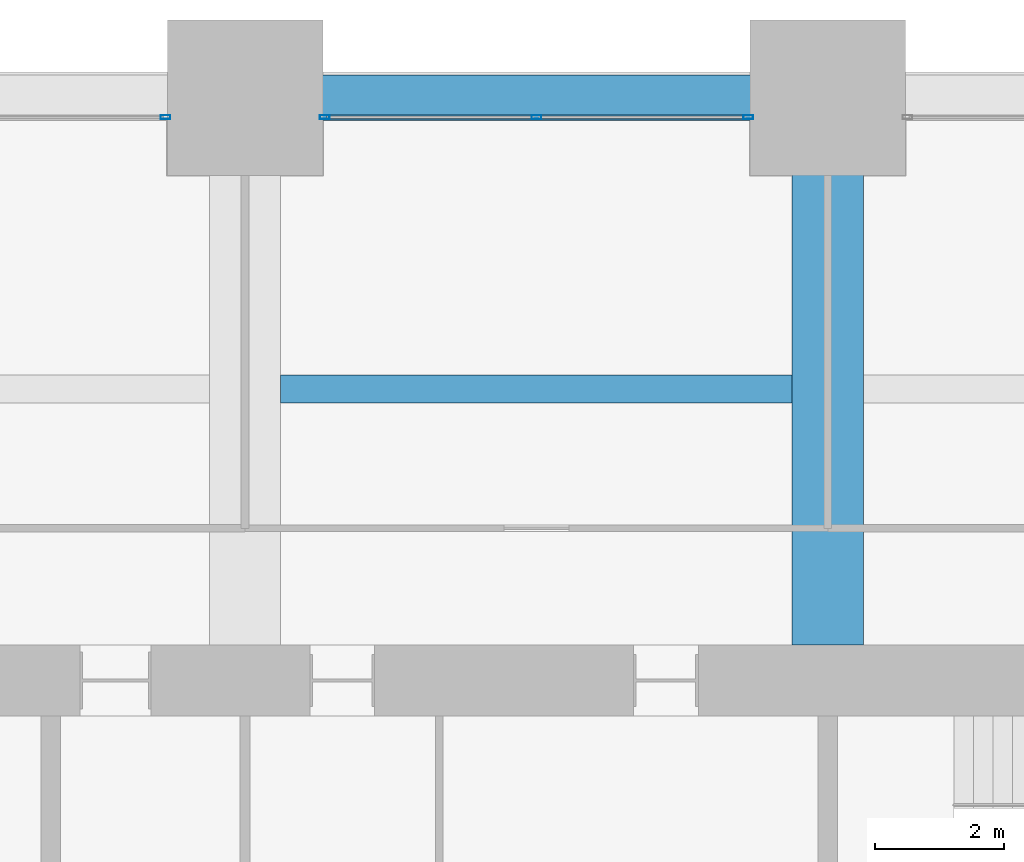
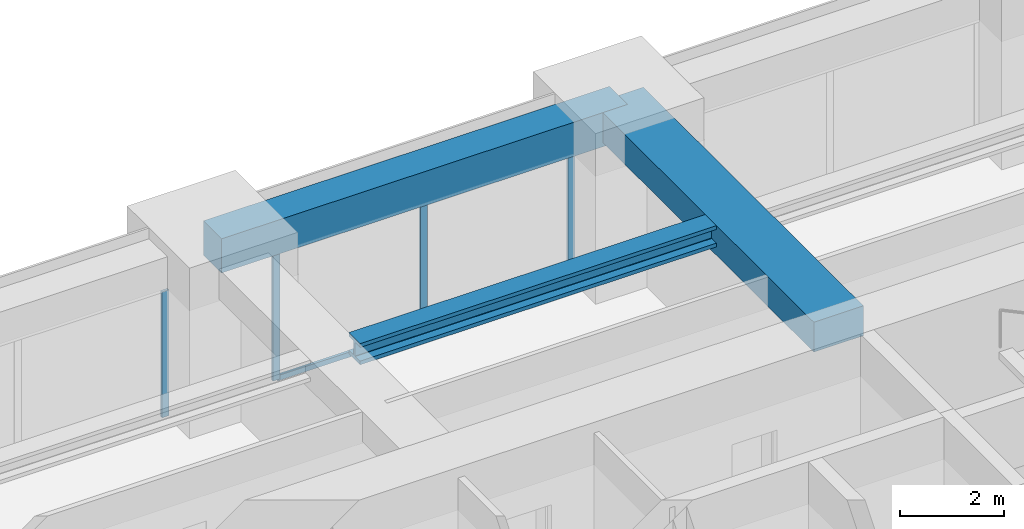
# One storey, part 25 of 32: 5 members, 3 beams, 2 elements without a shape of their own.
"""IFC4 building model written with IfcOpenShell, lengths in metres."""

import ifcopenshell
import ifcopenshell.guid

model = None  # the IFC model being written
_history = None  # IfcOwnerHistory: only IFC2X3 demands one
_inside = {}  # id of a spatial element -> (the spatial element, [elements in it])
_under = {}  # id of a project, library or spatial element -> (it, [spatial elements below it])
_declared = {}  # id of a project -> (the project, [libraries it declares])
_typed = {}  # id of a type object -> (the type object, [elements of that type])
_made_of = {}  # id of a material, layer set ... -> (it, [elements and type objects made of it])


def new_model(schema):
    """Start an empty IFC model of exactly this schema.

    Asked for "IFC4X3", IfcOpenShell would pick the latest addendum, in which some entities
    have other attributes; the version numbers below select the first issue.
    IFC2X3 requires an IfcOwnerHistory on every rooted entity: one is made here for all.
    """
    global model, _history
    if schema == "IFC4X3":
        model = ifcopenshell.file(schema_version=(4, 3, 0, 0))
    else:
        model = ifcopenshell.file(schema=schema)
    _inside.clear()
    _under.clear()
    _declared.clear()
    _typed.clear()
    _made_of.clear()
    _history = None
    if model.schema == "IFC2X3":
        org = make("IfcOrganization", Name="unknown")
        user = make(
            "IfcPersonAndOrganization",
            ThePerson=make("IfcPerson", FamilyName="unknown"),
            TheOrganization=org,
        )
        app = make(
            "IfcApplication",
            ApplicationDeveloper=org,
            Version="unknown",
            ApplicationFullName="unknown",
            ApplicationIdentifier="unknown",
        )
        _history = make(
            "IfcOwnerHistory",
            OwningUser=user,
            OwningApplication=app,
            ChangeAction="ADDED",
            CreationDate=0,
        )
    return model


def make(cls, **values):
    """One entity of the class cls with the attributes given. An attribute that is None is left unset."""
    return model.create_entity(
        cls, **{name: value for name, value in values.items() if value is not None}
    )


def rooted(cls, **values):
    """An entity with a GlobalId (a new one), such as an element, a storey or a relation."""
    return make(cls, GlobalId=ifcopenshell.guid.new(), OwnerHistory=_history, **values)


def si_unit(unit_type, name, prefix=None):
    """IfcSIUnit, for example si_unit("LENGTHUNIT", "METRE", prefix="MILLI")."""
    return make("IfcSIUnit", UnitType=unit_type, Prefix=prefix, Name=name)


def assignment(units):
    """IfcUnitAssignment: the units of a project."""
    return None if units is None else make("IfcUnitAssignment", Units=units)


def point(xyz):
    """IfcCartesianPoint."""
    return None if xyz is None else make("IfcCartesianPoint", Coordinates=xyz)


def direction(xyz):
    """IfcDirection."""
    return None if xyz is None else make("IfcDirection", DirectionRatios=xyz)


def frame(location, z_axis=None, x_axis=None):
    """IfcAxis2Placement3D, a coordinate frame: its origin and axes. An axis left out is left unset."""
    return make(
        "IfcAxis2Placement3D",
        Location=point(location),
        Axis=direction(z_axis),
        RefDirection=direction(x_axis),
    )


def frame_2d(location, x_axis=None):
    """IfcAxis2Placement2D, a coordinate frame in the plane: its origin and x axis."""
    return make(
        "IfcAxis2Placement2D", Location=point(location), RefDirection=direction(x_axis)
    )


def origin():
    """The frame at (0, 0, 0) with its axes left unset."""
    return frame((0.0, 0.0, 0.0))


def origin_2d():
    """The frame at (0, 0) in the plane with its x axis left unset."""
    return frame_2d((0.0, 0.0))


def place(relative_to, where):
    """IfcLocalPlacement: puts the frame where relative to a parent placement (None: the world)."""
    return make(
        "IfcLocalPlacement", PlacementRelTo=relative_to, RelativePlacement=where
    )


def context(
    kind, dimensions, precision=None, world=None, true_north=None, identifier=None
):
    """IfcGeometricRepresentationContext, for example the 3D "Model" context."""
    return make(
        "IfcGeometricRepresentationContext",
        ContextIdentifier=identifier,
        ContextType=kind,
        CoordinateSpaceDimension=dimensions,
        Precision=precision,
        WorldCoordinateSystem=world,
        TrueNorth=true_north,
    )


def subcontext(parent, identifier, kind, view, scale=None):
    """IfcGeometricRepresentationSubContext, for example "Body" below "Model"."""
    return make(
        "IfcGeometricRepresentationSubContext",
        ContextIdentifier=identifier,
        ContextType=kind,
        ParentContext=parent,
        TargetScale=scale,
        TargetView=view,
    )


def project(units=None, contexts=None):
    """IfcProject with its units and contexts."""
    return rooted(
        "IfcProject",
        Name="project",
        RepresentationContexts=contexts,
        UnitsInContext=assignment(units),
    )


def spatial(cls, under=None, at=None, **own):
    """A site, building, storey or space (cls), placed at a placement, below another one or the project."""
    s = rooted(cls, ObjectPlacement=at, **own)
    if under is not None:
        _under.setdefault(under.id(), (under, []))[1].append(s)
    return s


def profile(cls, at=None, kind="AREA", **sizes):
    """A parametric profile (cls). Its sizes go by their IFC names, for example OverallWidth=200.0."""
    return make(cls, ProfileType=kind, Position=at, **sizes)


def rectangle(**sizes):
    """IfcRectangleProfileDef."""
    return profile("IfcRectangleProfileDef", **sizes)


def hollow_rectangle(**sizes):
    """IfcRectangleHollowProfileDef."""
    return profile("IfcRectangleHollowProfileDef", **sizes)


def i_section(**sizes):
    """IfcIShapeProfileDef."""
    return profile("IfcIShapeProfileDef", **sizes)


def extrude(swept, where, along, depth):
    """IfcExtrudedAreaSolid: the profile swept, set in the frame where, extruded along a direction by depth."""
    return make(
        "IfcExtrudedAreaSolid",
        SweptArea=swept,
        Position=where,
        ExtrudedDirection=direction(along),
        Depth=depth,
    )


def shape(context_of_items, identifier, shape_type, items):
    """IfcShapeRepresentation: the items that make up one representation, for example the "Body"."""
    return make(
        "IfcShapeRepresentation",
        ContextOfItems=context_of_items,
        RepresentationIdentifier=identifier,
        RepresentationType=shape_type,
        Items=items,
    )


def material(Name=None, Category=None):
    """IfcMaterial."""
    return make("IfcMaterial", Name=Name, Category=Category)


def material_profile(
    of_material, cross_section, Name=None, Category=None, Priority=None
):
    """IfcMaterialProfile: a cross section and its material."""
    return make(
        "IfcMaterialProfile",
        Name=Name,
        Material=of_material,
        Profile=cross_section,
        Priority=Priority,
        Category=Category,
    )


def profile_set(profiles, Name=None, composite=None):
    """IfcMaterialProfileSet."""
    return make(
        "IfcMaterialProfileSet",
        Name=Name,
        MaterialProfiles=profiles,
        CompositeProfile=composite,
    )


def made_of(thing, what):
    """Note that an element or type object is made of a material, layer set ...; save() writes the relation."""
    if what is not None:
        _made_of.setdefault(what.id(), (what, []))[1].append(thing)
    return thing


def type_object(cls, material=None, **own):
    """A type object (cls), such as IfcWallType, which elements share."""
    return made_of(rooted(cls, **own), material)


def element(
    cls,
    number,
    at=None,
    inside=None,
    cuts=None,
    type_object=None,
    material=None,
    context=None,
    identifier="Body",
    shape_type=None,
    held_by="IfcProductDefinitionShape",
    body=None,
    shapes=None,
    **own,
):
    """One element of the class cls, such as IfcWall. Its Tag is "e" and its number.

    at: its placement. inside: the storey or other place that contains it. cuts: it is an
    opening in that element (IfcRelVoidsElement). A single representation is given by context,
    identifier, shape_type and body (its items); several are given by shapes. held_by: the class
    of the entity that holds the representations. save() writes the other relations.
    """
    e = rooted(cls, Tag="e%d" % number, ObjectPlacement=at, **own)
    if body is not None:
        shapes = [shape(context, identifier, shape_type, body)]
    if shapes is not None:
        e.Representation = make(held_by, Representations=shapes)
    if inside is not None:
        _inside.setdefault(inside.id(), (inside, []))[1].append(e)
    if cuts is not None:
        rooted(
            "IfcRelVoidsElement", RelatingBuildingElement=cuts, RelatedOpeningElement=e
        )
    if type_object is not None:
        _typed.setdefault(type_object.id(), (type_object, []))[1].append(e)
    return made_of(e, material)


def aggregate(whole, parts):
    """IfcRelAggregates: a whole, such as a stair, and the parts it consists of."""
    return rooted("IfcRelAggregates", RelatingObject=whole, RelatedObjects=parts)


def save(model, path):
    """Write the relations noted so far, then the file.

    IfcRelAggregates (storeys below a building ...), IfcRelContainedInSpatialStructure (elements
    in a storey), IfcRelDefinesByType, IfcRelAssociatesMaterial and IfcRelDeclares: one each for
    every whole, place, type object, material and project.
    """
    for whole, parts in _under.values():
        aggregate(whole, parts)
    for where, things in _inside.values():
        rooted(
            "IfcRelContainedInSpatialStructure",
            RelatedElements=things,
            RelatingStructure=where,
        )
    for kind, things in _typed.values():
        rooted("IfcRelDefinesByType", RelatedObjects=things, RelatingType=kind)
    for what, things in _made_of.values():
        rooted("IfcRelAssociatesMaterial", RelatedObjects=things, RelatingMaterial=what)
    for by, libraries in _declared.values():
        rooted("IfcRelDeclares", RelatingContext=by, RelatedDefinitions=libraries)
    model.write(path)


model = new_model("IFC4")

# Units and contexts
model_context = context("Model", 3, precision=1e-05, world=origin(), true_north=direction((0.0, 1.0)))
body_context = subcontext(model_context, "Body", "Model", "MODEL_VIEW")
ifc_project = project(units=[si_unit("LENGTHUNIT", "METRE"), si_unit("AREAUNIT", "SQUARE_METRE"), si_unit("VOLUMEUNIT", "CUBIC_METRE"), si_unit("PLANEANGLEUNIT", "RADIAN"), si_unit("MASSUNIT", "GRAM", prefix="KILO")], contexts=[model_context])

# Site, building, storey
site_placement = place(None, origin())
site = spatial("IfcSite", under=ifc_project, at=site_placement, CompositionType="ELEMENT")
building_placement = place(site_placement, origin())
building = spatial("IfcBuilding", under=site, at=building_placement, Name="Zorevar Civic Tower", CompositionType="ELEMENT")
storey_placement = place(building_placement, frame((0.0, 0.0, 190.199951171875)))
storey = spatial("IfcBuildingStorey", under=building, at=storey_placement, Name="L46", CompositionType="ELEMENT", Elevation=190.199951171875)

# Beam
ifc_material_1 = material(Name="Concrete C50/60", Category="concrete")
ifc_material_profile_1 = material_profile(ifc_material_1, rectangle(XDim=1.10009765625, YDim=0.699951171875, at=origin_2d()), Name="RC 1100x700")
ifc_profile_set_1 = profile_set([ifc_material_profile_1], Name="Concrete C50/60")
beam_type_1 = type_object("IfcBeamType", Name="Beam RC 1100x700", PredefinedType="BEAM", material=ifc_profile_set_1)
beam_1_placement = place(storey_placement, frame((36.0, 36.550048828125, 3.400146484375), z_axis=(0.0, 1.0, 0.0), x_axis=(-1.0, 0.0, 0.0)))
element("IfcBeam", 1, at=beam_1_placement, inside=storey, type_object=beam_type_1, Name="Girder L47", PredefinedType="BEAM", context=body_context, shape_type="SweptSolid", body=[
    extrude(rectangle(XDim=1.10009765625, YDim=0.699951171875, at=origin_2d()), origin(), (0.0, 0.0, 1.0), 8.449951171875),
])

# Curtain wall, member
ifc_material_2 = material(Name="Dark grey solar-control glass in black aluminium frame", Category="aluminium")
curtain_wall_type = type_object("IfcCurtainWallType", Name="Curtain wall CW4 high zone", PredefinedType="NOTDEFINED", material=ifc_material_2)
curtain_wall_1_placement = place(storey_placement, origin())
curtain_wall_1 = element("IfcCurtainWall", 2, at=curtain_wall_1_placement, inside=storey, type_object=curtain_wall_type, Name="CW4 L46", PredefinedType="NOTDEFINED")
ifc_material_3 = material(Name="Aluminium, black anodised", Category="aluminium")
ifc_material_profile_2 = material_profile(ifc_material_3, hollow_rectangle(XDim=0.06005859375, YDim=0.14990234375, WallThickness=0.00390625, at=origin_2d()), Name="AL 150x60x4")
ifc_profile_set_2 = profile_set([ifc_material_profile_2], Name="Aluminium, black anodised")
member_type_1 = type_object("IfcMemberType", Name="CW4 mullion AL 150x60x4", PredefinedType="MULLION", material=ifc_profile_set_2)
member_1_placement = place(storey_placement, frame((25.77001953125, 44.699951171875, 0.0), z_axis=(0.0, 0.0, 1.0), x_axis=(0.0, 1.0, 0.0)))
member_1 = element("IfcMember", 3, at=member_1_placement, type_object=member_type_1, Name="CW4 mullion 3", PredefinedType="MULLION", context=body_context, shape_type="SweptSolid", body=[
    extrude(hollow_rectangle(XDim=0.06005859375, YDim=0.14990234375, WallThickness=0.00390625, at=origin_2d()), origin(), (0.0, 0.0, 1.0), 2.949951171875),
])
aggregate(curtain_wall_1, [member_1])

# Curtain wall, members
curtain_wall_2_placement = place(storey_placement, origin())
curtain_wall_2 = element("IfcCurtainWall", 4, at=curtain_wall_2_placement, inside=storey, type_object=curtain_wall_type, Name="CW4 L46", PredefinedType="NOTDEFINED")
member_2_placement = place(storey_placement, frame((28.22998046875, 44.699951171875, 0.0), z_axis=(0.0, 0.0, 1.0), x_axis=(0.0, 1.0, 0.0)))
member_2 = element("IfcMember", 5, at=member_2_placement, type_object=member_type_1, Name="CW4 mullion 1", PredefinedType="MULLION", context=body_context, shape_type="SweptSolid", body=[
    extrude(hollow_rectangle(XDim=0.06005859375, YDim=0.14990234375, WallThickness=0.00390625, at=origin_2d()), origin(), (0.0, 0.0, 1.0), 2.949951171875),
])
member_3_placement = place(storey_placement, frame((31.5, 44.699951171875, 0.06005859375), z_axis=(0.0, 0.0, 1.0), x_axis=(0.0, 1.0, 0.0)))
member_3 = element("IfcMember", 6, at=member_3_placement, type_object=member_type_1, Name="CW4 mullion 2", PredefinedType="MULLION", context=body_context, shape_type="SweptSolid", body=[
    extrude(hollow_rectangle(XDim=0.06005859375, YDim=0.14990234375, WallThickness=0.00390625, at=origin_2d()), origin(), (0.0, 0.0, 1.0), 2.889892578125),
])
member_4_placement = place(storey_placement, frame((34.77001953125, 44.699951171875, 0.0), z_axis=(0.0, 0.0, 1.0), x_axis=(0.0, 1.0, 0.0)))
member_4 = element("IfcMember", 7, at=member_4_placement, type_object=member_type_1, Name="CW4 mullion 3", PredefinedType="MULLION", context=body_context, shape_type="SweptSolid", body=[
    extrude(hollow_rectangle(XDim=0.06005859375, YDim=0.14990234375, WallThickness=0.00390625, at=origin_2d()), origin(), (0.0, 0.0, 1.0), 2.949951171875),
])
ifc_material_4 = material(Name="Aluminium, black anodised", Category="aluminium")
ifc_material_profile_3 = material_profile(ifc_material_4, hollow_rectangle(XDim=0.06005859375, YDim=0.1201171875, WallThickness=0.0029296875, at=origin_2d()), Name="AL 120x60x3")
ifc_profile_set_3 = profile_set([ifc_material_profile_3], Name="Aluminium, black anodised")
member_type_2 = type_object("IfcMemberType", Name="CW4 transom AL 120x60x3", PredefinedType="USERDEFINED", material=ifc_profile_set_3)
member_5_placement = place(storey_placement, frame((28.260009765625, 44.699951171875, 0.030029296875), z_axis=(1.0, 0.0, 0.0), x_axis=(0.0, 1.0, 0.0)))
member_5 = element("IfcMember", 8, at=member_5_placement, type_object=member_type_2, Name="CW4 sill transom", ObjectType="TRANSOM", PredefinedType="USERDEFINED", context=body_context, shape_type="SweptSolid", body=[
    extrude(hollow_rectangle(XDim=0.06005859375, YDim=0.1201171875, WallThickness=0.0029296875, at=origin_2d()), origin(), (0.0, 0.0, 1.0), 6.47998046875),
])
aggregate(curtain_wall_2, [member_2, member_3, member_4, member_5])

# Beams
ifc_material_5 = material(Name="Steel S460M (HISTAR 460)", Category="steel")
ifc_material_profile_4 = material_profile(ifc_material_5, i_section(OverallWidth=0.431884765625, OverallDepth=0.498046875, WebThickness=0.0556640625, FlangeThickness=0.0888671875, FilletRadius=0.014892578125, at=origin_2d()), Name="HD 400x744")
ifc_profile_set_4 = profile_set([ifc_material_profile_4], Name="Steel S460M (HISTAR 460)")
beam_type_2 = type_object("IfcBeamType", Name="Core bay beam HD 400x744", PredefinedType="BEAM", material=ifc_profile_set_4)
beam_2_placement = place(storey_placement, frame((27.550048828125, 40.5, 3.5009765625), z_axis=(1.0, 0.0, 0.0), x_axis=(0.0, 1.0, 0.0)))
element("IfcBeam", 9, at=beam_2_placement, inside=storey, type_object=beam_type_2, Name="Secondary beam L47", PredefinedType="BEAM", context=body_context, shape_type="SweptSolid", body=[
    extrude(i_section(OverallWidth=0.431884765625, OverallDepth=0.498046875, WebThickness=0.0556640625, FlangeThickness=0.0888671875, FilletRadius=0.014892578125, at=origin_2d()), origin(), (0.0, 0.0, 1.0), 7.89990234375),
])
ifc_material_6 = material(Name="Concrete C50/60", Category="concrete")
ifc_material_profile_5 = material_profile(ifc_material_6, rectangle(XDim=0.699951171875, YDim=0.800048828125, at=origin_2d()), Name="RC 700x800")
ifc_profile_set_5 = profile_set([ifc_material_profile_5], Name="Concrete C50/60")
beam_type_3 = type_object("IfcBeamType", Name="Edge beam RC 700x800", PredefinedType="SPANDREL", material=ifc_profile_set_5)
beam_3_placement = place(storey_placement, frame((27.0, 45.0, 3.35009765625), z_axis=(1.0, 0.0, 0.0), x_axis=(0.0, 1.0, 0.0)))
element("IfcBeam", 10, at=beam_3_placement, inside=storey, type_object=beam_type_3, Name="Edge beam L47", PredefinedType="SPANDREL", context=body_context, shape_type="SweptSolid", body=[
    extrude(rectangle(XDim=0.699951171875, YDim=0.800048828125, at=origin_2d()), origin(), (0.0, 0.0, 1.0), 9.0),
])

save(model, "model.ifc")
